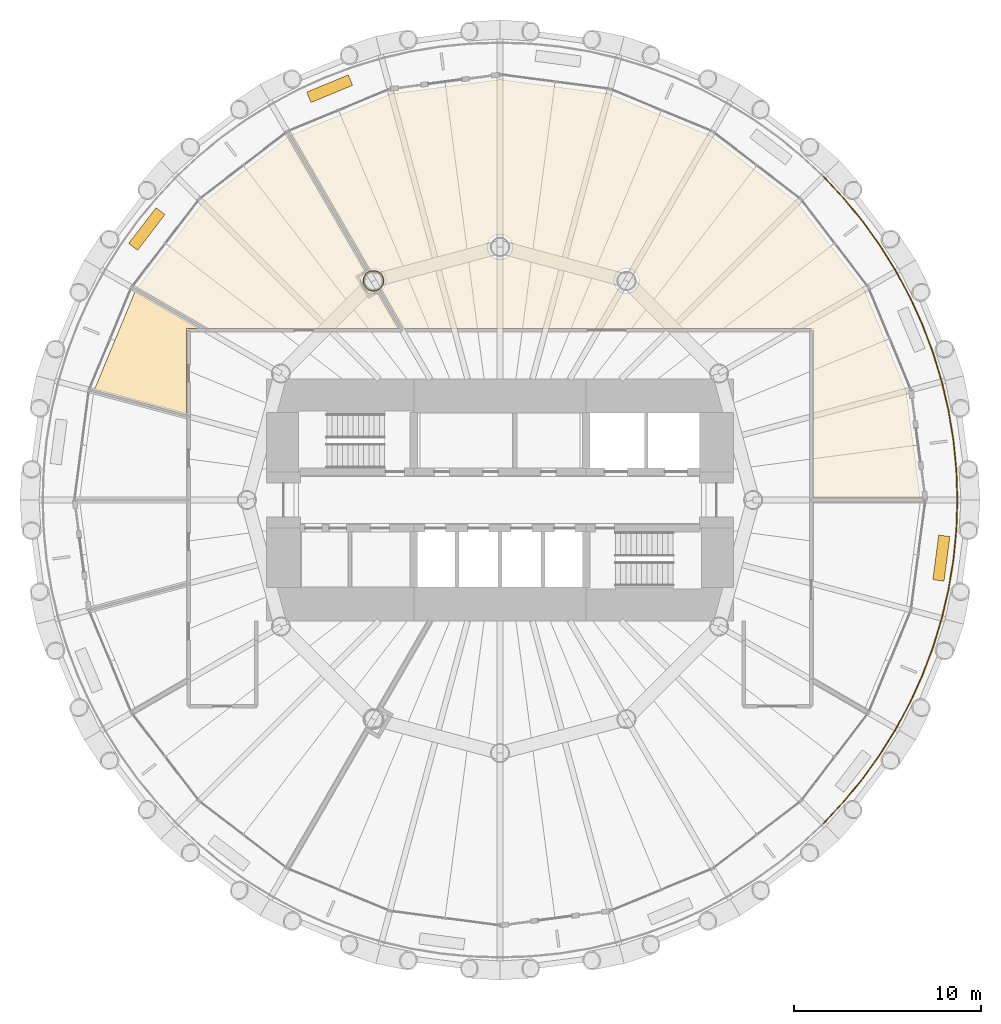
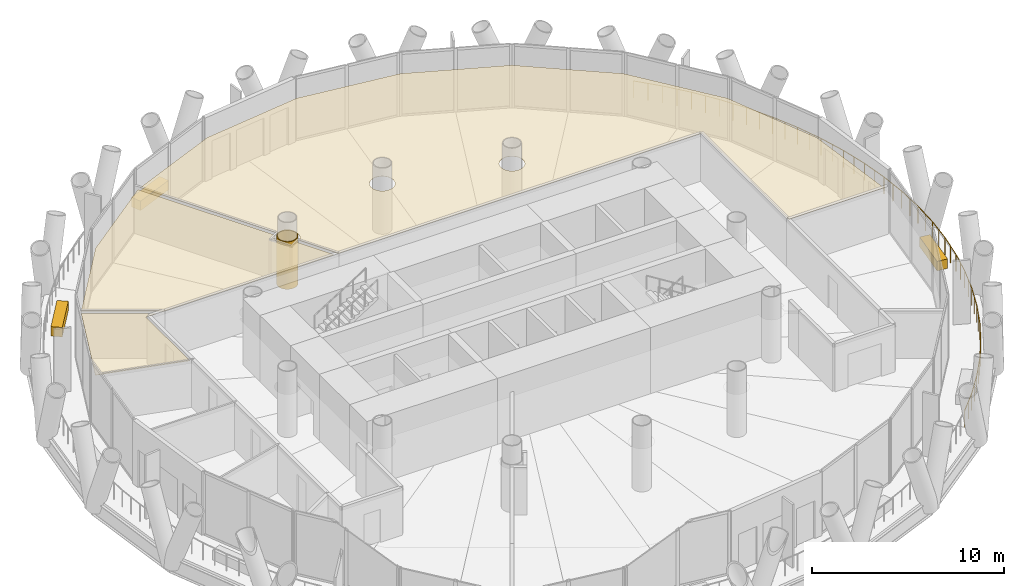
# One storey, part 13 of 14: 7 coverings, 1 railing.
"""IFC4 building model written with IfcOpenShell, lengths in metres."""

from ifc_helpers import new_model, si_unit, direction, frame, origin, origin_2d, place, context, subcontext, project, spatial, polyline, rectangle, circle, outline, extrude, material, layer, layer_set, type_object, element, save


model = new_model("IFC4")

# Units and contexts
model_context = context("Model", 3, precision=1e-05, world=origin(), true_north=direction((0.0, 1.0)))
body_context = subcontext(model_context, "Body", "Model", "MODEL_VIEW")
ifc_project = project(units=[si_unit("LENGTHUNIT", "METRE"), si_unit("AREAUNIT", "SQUARE_METRE"), si_unit("VOLUMEUNIT", "CUBIC_METRE"), si_unit("PLANEANGLEUNIT", "RADIAN"), si_unit("MASSUNIT", "GRAM", prefix="KILO")], contexts=[model_context])

# Site, building, storey
site_placement = place(None, origin())
site = spatial("IfcSite", under=ifc_project, at=site_placement, CompositionType="ELEMENT")
building_placement = place(site_placement, origin())
building = spatial("IfcBuilding", under=site, at=building_placement, Name="Qaws Media Tower", CompositionType="ELEMENT")
storey_placement = place(building_placement, frame((0.0, 0.0, 126.800048828125)))
storey = spatial("IfcBuildingStorey", under=building, at=storey_placement, Name="L28", CompositionType="ELEMENT", Elevation=126.800048828125)

# Covering
ifc_material_1 = material(Name="40 perforated acoustic panels with mineral wool backing, suspended", Category="mineral fibre")
ifc_layer_1 = layer(ifc_material_1, 0.0400390625)
ifc_layer_set_1 = layer_set([ifc_layer_1], Name="Acoustic panel ceiling 40")
covering_type_1 = type_object("IfcCoveringType", Name="Acoustic panel ceiling 40", PredefinedType="CEILING", material=ifc_layer_set_1)
covering_1_placement = place(storey_placement, frame((0.0, 0.0, 2.849853515625)))
element("IfcCovering", 1, at=covering_1_placement, inside=storey, type_object=covering_type_1, Name="CL3 ceiling L28-03 Meeting room", PredefinedType="CEILING", context=body_context, shape_type="SweptSolid", body=[
    extrude(outline(polyline([(44.135986328125, 65.864013671875), (48.6923828125, 69.3603515625), (52.823974609375, 62.204345703125), (52.777587890625, 62.163818359375), (52.719970703125, 62.097900390625), (52.67138671875, 62.025390625), (52.6328125, 61.947021484375), (52.604736328125, 61.8642578125), (52.587646484375, 61.778564453125), (52.58203125, 61.69140625), (52.587646484375, 61.604248046875), (52.604736328125, 61.5185546875), (52.6328125, 61.435791015625), (52.67138671875, 61.357421875), (52.719970703125, 61.28466796875), (52.777587890625, 61.218994140625), (52.84326171875, 61.161376953125), (52.916015625, 61.11279296875), (52.994384765625, 61.07421875), (53.0771484375, 61.046142578125), (53.162841796875, 61.029052734375), (53.25, 61.023193359375), (53.337158203125, 61.029052734375), (53.4228515625, 61.046142578125), (53.481201171875, 61.06591796875), (54.580078125, 59.16259765625), (44.35498046875, 59.16259765625), (40.6396484375, 61.3076171875), (44.135986328125, 65.864013671875)])), origin(), (0.0, 0.0, 1.0), 0.0400390625),
])

# Railing
ifc_material_2 = material(Name="Stainless steel and glass guard", Category="steel")
railing_type = type_object("IfcRailingType", Name="Balcony guard 1100", PredefinedType="GUARDRAIL", material=ifc_material_2)
railing_placement = place(storey_placement, frame((77.25341796875, 32.74658203125, 0.0)))
element("IfcRailing", 2, at=railing_placement, inside=storey, type_object=railing_type, Name="GR1 balcony guard L28-4", PredefinedType="GUARDRAIL", context=body_context, shape_type="SweptSolid", body=[
    extrude(circle(Radius=0.02392578125, at=origin_2d()), frame((0.0, 0.0, 1.076171875), z_axis=(0.683640981839, 0.729818476027, 0.0), x_axis=(-0.729818476027, 0.683640981839, 0.0)), (0.0, 0.0, 1.0), 1.5966796875),
    extrude(circle(Radius=0.02392578125, at=origin_2d()), frame((1.091552734375, 1.165283203125, 1.076171875), z_axis=(0.634361127386, 0.773036842629, 0.0), x_axis=(-0.773036842629, 0.634361127386, 0.0)), (0.0, 0.0, 1.0), 1.5966796875),
    extrude(circle(Radius=0.02392578125, at=origin_2d()), frame((2.1044921875, 2.399658203125, 1.076171875), z_axis=(0.582438119358, 0.812875043976, 0.0), x_axis=(-0.812875043976, 0.582438119358, 0.0)), (0.0, 0.0, 1.0), 1.5966796875),
    extrude(circle(Radius=0.02392578125, at=origin_2d()), frame((3.034423828125, 3.697509765625, 1.076171875), z_axis=(0.528101023183, 0.849181552622, 0.0), x_axis=(-0.849181552622, 0.528101023183, 0.0)), (0.0, 0.0, 1.0), 1.5966796875),
    extrude(circle(Radius=0.02392578125, at=origin_2d()), frame((3.877685546875, 5.053466796875, 1.076171875), z_axis=(0.471389573817, 0.881925093019, 0.0), x_axis=(-0.881925093019, 0.471389573817, 0.0)), (0.0, 0.0, 1.0), 1.5966796875),
    extrude(circle(Radius=0.02392578125, at=origin_2d()), frame((4.63037109375, 6.461669921875, 1.076171875), z_axis=(0.412696679624, 0.910868514456, 0.0), x_axis=(-0.910868514456, 0.412696679624, 0.0)), (0.0, 0.0, 1.0), 1.5966796875),
    extrude(circle(Radius=0.02392578125, at=origin_2d()), frame((5.289306640625, 7.916015625, 1.076171875), z_axis=(0.352145406881, 0.935945304178, 0.0), x_axis=(-0.935945304178, 0.352145406881, 0.0)), (0.0, 0.0, 1.0), 1.5966796875),
    extrude(circle(Radius=0.02392578125, at=origin_2d()), frame((5.8515625, 9.410400390625, 1.076171875), z_axis=(0.290376596051, 0.956912447649, 0.0), x_axis=(-0.956912447649, 0.290376596051, 0.0)), (0.0, 0.0, 1.0), 1.5966796875),
    extrude(circle(Radius=0.02392578125, at=origin_2d()), frame((6.315185546875, 10.938232421875, 1.076171875), z_axis=(0.227070097211, 0.973878416925, 0.0), x_axis=(-0.973878416925, 0.227070097211, 0.0)), (0.0, 0.0, 1.0), 1.5966796875),
    extrude(circle(Radius=0.02392578125, at=origin_2d()), frame((6.677734375, 12.4931640625, 1.076171875), z_axis=(0.162836738606, 0.986653027442, 0.0), x_axis=(-0.986653027442, 0.162836738606, 0.0)), (0.0, 0.0, 1.0), 1.5966796875),
    extrude(circle(Radius=0.02392578125, at=origin_2d()), frame((6.937744140625, 14.068603515625, 1.076171875), z_axis=(0.098019858359, 0.995184458966, 0.0), x_axis=(-0.995184458966, 0.098019858359, 0.0)), (0.0, 0.0, 1.0), 1.596435546875),
    extrude(circle(Radius=0.02392578125, at=origin_2d()), frame((7.09423828125, 15.657470703125, 1.076171875), z_axis=(0.032719201604, 0.999464583588, 0.0), x_axis=(-0.999464583588, 0.032719201604, 0.0)), (0.0, 0.0, 1.0), 1.596923828125),
    extrude(circle(Radius=0.02392578125, at=origin_2d()), frame((7.146484375, 17.25341796875, 1.076171875), z_axis=(-0.032719201604, 0.999464583588, 0.0), x_axis=(-0.999464583588, -0.032719201604, 0.0)), (0.0, 0.0, 1.0), 1.596923828125),
    extrude(circle(Radius=0.02392578125, at=origin_2d()), frame((7.09423828125, 18.849365234375, 1.076171875), z_axis=(-0.098019858359, 0.995184458966, 0.0), x_axis=(-0.995184458966, -0.098019858359, 0.0)), (0.0, 0.0, 1.0), 1.596435546875),
    extrude(circle(Radius=0.02392578125, at=origin_2d()), frame((6.937744140625, 20.438232421875, 1.076171875), z_axis=(-0.162836738606, 0.986653027442, 0.0), x_axis=(-0.986653027442, -0.162836738606, 0.0)), (0.0, 0.0, 1.0), 1.5966796875),
    extrude(circle(Radius=0.02392578125, at=origin_2d()), frame((6.677734375, 22.013671875, 1.076171875), z_axis=(-0.227070097211, 0.973878416925, 0.0), x_axis=(-0.973878416925, -0.227070097211, 0.0)), (0.0, 0.0, 1.0), 1.5966796875),
    extrude(circle(Radius=0.02392578125, at=origin_2d()), frame((6.315185546875, 23.568603515625, 1.076171875), z_axis=(-0.290376596051, 0.956912447649, 0.0), x_axis=(-0.956912447649, -0.290376596051, 0.0)), (0.0, 0.0, 1.0), 1.5966796875),
    extrude(circle(Radius=0.02392578125, at=origin_2d()), frame((5.8515625, 25.096435546875, 1.076171875), z_axis=(-0.352145406881, 0.935945304178, 0.0), x_axis=(-0.935945304178, -0.352145406881, 0.0)), (0.0, 0.0, 1.0), 1.5966796875),
    extrude(circle(Radius=0.02392578125, at=origin_2d()), frame((5.289306640625, 26.5908203125, 1.076171875), z_axis=(-0.412696679624, 0.910868514456, 0.0), x_axis=(-0.910868514456, -0.412696679624, 0.0)), (0.0, 0.0, 1.0), 1.5966796875),
    extrude(circle(Radius=0.02392578125, at=origin_2d()), frame((4.63037109375, 28.045166015625, 1.076171875), z_axis=(-0.471389573817, 0.881925093019, 0.0), x_axis=(-0.881925093019, -0.471389573817, 0.0)), (0.0, 0.0, 1.0), 1.5966796875),
    extrude(circle(Radius=0.02392578125, at=origin_2d()), frame((3.877685546875, 29.453369140625, 1.076171875), z_axis=(-0.528101023183, 0.849181552622, 0.0), x_axis=(-0.849181552622, -0.528101023183, 0.0)), (0.0, 0.0, 1.0), 1.5966796875),
    extrude(circle(Radius=0.02392578125, at=origin_2d()), frame((3.034423828125, 30.809326171875, 1.076171875), z_axis=(-0.582438119358, 0.812875043976, 0.0), x_axis=(-0.812875043976, -0.582438119358, 0.0)), (0.0, 0.0, 1.0), 1.5966796875),
    extrude(circle(Radius=0.02392578125, at=origin_2d()), frame((2.1044921875, 32.107177734375, 1.076171875), z_axis=(-0.634361127386, 0.773036842629, 0.0), x_axis=(-0.773036842629, -0.634361127386, 0.0)), (0.0, 0.0, 1.0), 1.5966796875),
    extrude(circle(Radius=0.02392578125, at=origin_2d()), frame((1.091552734375, 33.341552734375, 1.076171875), z_axis=(-0.683640981839, 0.729818476027, 0.0), x_axis=(-0.729818476027, -0.683640981839, 0.0)), (0.0, 0.0, 1.0), 1.5966796875),
    extrude(circle(Radius=0.02099609375, at=origin_2d()), origin(), (0.0, 0.0, 1.0), 1.052001953125),
    extrude(circle(Radius=0.02099609375, at=origin_2d()), frame((0.5458984375, 0.58251953125, 0.0)), (0.0, 0.0, 1.0), 1.052001953125),
    extrude(circle(Radius=0.02099609375, at=origin_2d()), frame((1.091552734375, 1.165283203125, 0.0)), (0.0, 0.0, 1.0), 1.052001953125),
    extrude(circle(Radius=0.02099609375, at=origin_2d()), frame((1.59814453125, 1.782470703125, 0.0)), (0.0, 0.0, 1.0), 1.052001953125),
    extrude(circle(Radius=0.02099609375, at=origin_2d()), frame((2.1044921875, 2.399658203125, 0.0)), (0.0, 0.0, 1.0), 1.052001953125),
    extrude(circle(Radius=0.02099609375, at=origin_2d()), frame((2.5693359375, 3.048583984375, 0.0)), (0.0, 0.0, 1.0), 1.052001953125),
    extrude(circle(Radius=0.02099609375, at=origin_2d()), frame((3.034423828125, 3.697509765625, 0.0)), (0.0, 0.0, 1.0), 1.052001953125),
    extrude(circle(Radius=0.02099609375, at=origin_2d()), frame((3.4560546875, 4.37548828125, 0.0)), (0.0, 0.0, 1.0), 1.052001953125),
    extrude(circle(Radius=0.02099609375, at=origin_2d()), frame((3.877685546875, 5.053466796875, 0.0)), (0.0, 0.0, 1.0), 1.052001953125),
    extrude(circle(Radius=0.02099609375, at=origin_2d()), frame((4.25390625, 5.757568359375, 0.0)), (0.0, 0.0, 1.0), 1.052001953125),
    extrude(circle(Radius=0.02099609375, at=origin_2d()), frame((4.63037109375, 6.461669921875, 0.0)), (0.0, 0.0, 1.0), 1.052001953125),
    extrude(circle(Radius=0.02099609375, at=origin_2d()), frame((4.9599609375, 7.18896484375, 0.0)), (0.0, 0.0, 1.0), 1.052001953125),
    extrude(circle(Radius=0.02099609375, at=origin_2d()), frame((5.289306640625, 7.916015625, 0.0)), (0.0, 0.0, 1.0), 1.052001953125),
    extrude(circle(Radius=0.02099609375, at=origin_2d()), frame((5.5703125, 8.6630859375, 0.0)), (0.0, 0.0, 1.0), 1.052001953125),
    extrude(circle(Radius=0.02099609375, at=origin_2d()), frame((5.8515625, 9.410400390625, 0.0)), (0.0, 0.0, 1.0), 1.052001953125),
    extrude(circle(Radius=0.02099609375, at=origin_2d()), frame((6.08349609375, 10.17431640625, 0.0)), (0.0, 0.0, 1.0), 1.052001953125),
    extrude(circle(Radius=0.02099609375, at=origin_2d()), frame((6.315185546875, 10.938232421875, 0.0)), (0.0, 0.0, 1.0), 1.052001953125),
    extrude(circle(Radius=0.02099609375, at=origin_2d()), frame((6.49658203125, 11.7158203125, 0.0)), (0.0, 0.0, 1.0), 1.052001953125),
    extrude(circle(Radius=0.02099609375, at=origin_2d()), frame((6.677734375, 12.4931640625, 0.0)), (0.0, 0.0, 1.0), 1.052001953125),
    extrude(circle(Radius=0.02099609375, at=origin_2d()), frame((6.8076171875, 13.28076171875, 0.0)), (0.0, 0.0, 1.0), 1.052001953125),
    extrude(circle(Radius=0.02099609375, at=origin_2d()), frame((6.937744140625, 14.068603515625, 0.0)), (0.0, 0.0, 1.0), 1.052001953125),
    extrude(circle(Radius=0.02099609375, at=origin_2d()), frame((7.01611328125, 14.863037109375, 0.0)), (0.0, 0.0, 1.0), 1.052001953125),
    extrude(circle(Radius=0.02099609375, at=origin_2d()), frame((7.09423828125, 15.657470703125, 0.0)), (0.0, 0.0, 1.0), 1.052001953125),
    extrude(circle(Radius=0.02099609375, at=origin_2d()), frame((7.120361328125, 16.45556640625, 0.0)), (0.0, 0.0, 1.0), 1.052001953125),
    extrude(circle(Radius=0.02099609375, at=origin_2d()), frame((7.146484375, 17.25341796875, 0.0)), (0.0, 0.0, 1.0), 1.052001953125),
    extrude(circle(Radius=0.02099609375, at=origin_2d()), frame((7.120361328125, 18.05126953125, 0.0)), (0.0, 0.0, 1.0), 1.052001953125),
    extrude(circle(Radius=0.02099609375, at=origin_2d()), frame((7.09423828125, 18.849365234375, 0.0)), (0.0, 0.0, 1.0), 1.052001953125),
    extrude(circle(Radius=0.02099609375, at=origin_2d()), frame((7.01611328125, 19.643798828125, 0.0)), (0.0, 0.0, 1.0), 1.052001953125),
    extrude(circle(Radius=0.02099609375, at=origin_2d()), frame((6.937744140625, 20.438232421875, 0.0)), (0.0, 0.0, 1.0), 1.052001953125),
    extrude(circle(Radius=0.02099609375, at=origin_2d()), frame((6.8076171875, 21.22607421875, 0.0)), (0.0, 0.0, 1.0), 1.052001953125),
    extrude(circle(Radius=0.02099609375, at=origin_2d()), frame((6.677734375, 22.013671875, 0.0)), (0.0, 0.0, 1.0), 1.052001953125),
    extrude(circle(Radius=0.02099609375, at=origin_2d()), frame((6.49658203125, 22.791015625, 0.0)), (0.0, 0.0, 1.0), 1.052001953125),
    extrude(circle(Radius=0.02099609375, at=origin_2d()), frame((6.315185546875, 23.568603515625, 0.0)), (0.0, 0.0, 1.0), 1.052001953125),
    extrude(circle(Radius=0.02099609375, at=origin_2d()), frame((6.08349609375, 24.33251953125, 0.0)), (0.0, 0.0, 1.0), 1.052001953125),
    extrude(circle(Radius=0.02099609375, at=origin_2d()), frame((5.8515625, 25.096435546875, 0.0)), (0.0, 0.0, 1.0), 1.052001953125),
    extrude(circle(Radius=0.02099609375, at=origin_2d()), frame((5.5703125, 25.84375, 0.0)), (0.0, 0.0, 1.0), 1.052001953125),
    extrude(circle(Radius=0.02099609375, at=origin_2d()), frame((5.289306640625, 26.5908203125, 0.0)), (0.0, 0.0, 1.0), 1.052001953125),
    extrude(circle(Radius=0.02099609375, at=origin_2d()), frame((4.9599609375, 27.31787109375, 0.0)), (0.0, 0.0, 1.0), 1.052001953125),
    extrude(circle(Radius=0.02099609375, at=origin_2d()), frame((4.63037109375, 28.045166015625, 0.0)), (0.0, 0.0, 1.0), 1.052001953125),
    extrude(circle(Radius=0.02099609375, at=origin_2d()), frame((4.25390625, 28.749267578125, 0.0)), (0.0, 0.0, 1.0), 1.052001953125),
    extrude(circle(Radius=0.02099609375, at=origin_2d()), frame((3.877685546875, 29.453369140625, 0.0)), (0.0, 0.0, 1.0), 1.052001953125),
    extrude(circle(Radius=0.02099609375, at=origin_2d()), frame((3.4560546875, 30.13134765625, 0.0)), (0.0, 0.0, 1.0), 1.052001953125),
    extrude(circle(Radius=0.02099609375, at=origin_2d()), frame((3.034423828125, 30.809326171875, 0.0)), (0.0, 0.0, 1.0), 1.052001953125),
    extrude(circle(Radius=0.02099609375, at=origin_2d()), frame((2.5693359375, 31.458251953125, 0.0)), (0.0, 0.0, 1.0), 1.052001953125),
    extrude(circle(Radius=0.02099609375, at=origin_2d()), frame((2.1044921875, 32.107177734375, 0.0)), (0.0, 0.0, 1.0), 1.052001953125),
    extrude(circle(Radius=0.02099609375, at=origin_2d()), frame((1.59814453125, 32.724365234375, 0.0)), (0.0, 0.0, 1.0), 1.052001953125),
    extrude(circle(Radius=0.02099609375, at=origin_2d()), frame((1.091552734375, 33.341552734375, 0.0)), (0.0, 0.0, 1.0), 1.052001953125),
    extrude(circle(Radius=0.02099609375, at=origin_2d()), frame((0.5458984375, 33.92431640625, 0.0)), (0.0, 0.0, 1.0), 1.052001953125),
    extrude(circle(Radius=0.02099609375, at=origin_2d()), frame((0.0, 34.5068359375, 0.0)), (0.0, 0.0, 1.0), 1.052001953125),
])

# Coverings
ifc_material_3 = material(Name="Two layers 15 fire-rated gypsum board on steel framing", Category="steel")
ifc_layer_2 = layer(ifc_material_3, 0.050048828125)
ifc_layer_set_2 = layer_set([ifc_layer_2], Name="Column fire casing")
covering_type_2 = type_object("IfcCoveringType", Name="Column fire casing", PredefinedType="CLADDING", material=ifc_layer_set_2)
covering_2_placement = place(storey_placement, origin())
element("IfcCovering", 3, at=covering_2_placement, inside=storey, type_object=covering_type_2, Name="CC1 column casing L28", PredefinedType="CLADDING", context=body_context, shape_type="SweptSolid", body=[
    extrude(outline(polyline([(53.81298828125, 61.69140625), (53.80810546875, 61.617919921875), (53.793701171875, 61.545654296875), (53.77001953125, 61.475830078125), (53.737548828125, 61.409912109375), (53.69677734375, 61.3486328125), (53.648193359375, 61.293212890625), (53.5927734375, 61.24462890625), (53.531494140625, 61.203857421875), (53.465576171875, 61.171142578125), (53.395751953125, 61.1474609375), (53.323486328125, 61.13330078125), (53.25, 61.12841796875), (53.176513671875, 61.13330078125), (53.104248046875, 61.1474609375), (53.034423828125, 61.171142578125), (52.968505859375, 61.203857421875), (52.9072265625, 61.24462890625), (52.851806640625, 61.293212890625), (52.80322265625, 61.3486328125), (52.762451171875, 61.409912109375), (52.72998046875, 61.475830078125), (52.706298828125, 61.545654296875), (52.69189453125, 61.617919921875), (52.68701171875, 61.69140625), (52.69189453125, 61.764892578125), (52.706298828125, 61.837158203125), (52.72998046875, 61.90673828125), (52.762451171875, 61.972900390625), (52.80322265625, 62.0341796875), (52.851806640625, 62.08935546875), (52.9072265625, 62.137939453125), (52.968505859375, 62.178955078125), (53.034423828125, 62.21142578125), (53.104248046875, 62.235107421875), (53.176513671875, 62.24951171875), (53.25, 62.25439453125), (53.323486328125, 62.24951171875), (53.395751953125, 62.235107421875), (53.465576171875, 62.21142578125), (53.531494140625, 62.178955078125), (53.5927734375, 62.137939453125), (53.648193359375, 62.08935546875), (53.69677734375, 62.0341796875), (53.737548828125, 61.972900390625), (53.77001953125, 61.90673828125), (53.793701171875, 61.837158203125), (53.80810546875, 61.764892578125), (53.81298828125, 61.69140625)]), holes=[polyline([(53.760986328125, 61.69140625), (53.756591796875, 61.62451171875), (53.74365234375, 61.55908203125), (53.72216796875, 61.495849609375), (53.6923828125, 61.435791015625), (53.655517578125, 61.38037109375), (53.611328125, 61.330078125), (53.56103515625, 61.285888671875), (53.505615234375, 61.248779296875), (53.445556640625, 61.21923828125), (53.38232421875, 61.19775390625), (53.316650390625, 61.184814453125), (53.25, 61.180419921875), (53.183349609375, 61.184814453125), (53.11767578125, 61.19775390625), (53.054443359375, 61.21923828125), (52.994384765625, 61.248779296875), (52.93896484375, 61.285888671875), (52.888671875, 61.330078125), (52.844482421875, 61.38037109375), (52.8076171875, 61.435791015625), (52.77783203125, 61.495849609375), (52.75634765625, 61.55908203125), (52.743408203125, 61.62451171875), (52.739013671875, 61.69140625), (52.743408203125, 61.758056640625), (52.75634765625, 61.823486328125), (52.77783203125, 61.886962890625), (52.8076171875, 61.94677734375), (52.844482421875, 62.00244140625), (52.888671875, 62.052734375), (52.93896484375, 62.0966796875), (52.994384765625, 62.1337890625), (53.054443359375, 62.163330078125), (53.11767578125, 62.184814453125), (53.183349609375, 62.197998046875), (53.25, 62.202392578125), (53.316650390625, 62.197998046875), (53.38232421875, 62.184814453125), (53.445556640625, 62.163330078125), (53.505615234375, 62.1337890625), (53.56103515625, 62.0966796875), (53.611328125, 62.052734375), (53.655517578125, 62.00244140625), (53.6923828125, 61.94677734375), (53.72216796875, 61.886962890625), (53.74365234375, 61.823486328125), (53.756591796875, 61.758056640625), (53.760986328125, 61.69140625)])]), origin(), (0.0, 0.0, 1.0), 3.02001953125),
])
ifc_material_4 = material(Name="600 x 600 mineral fibre tiles in exposed grid, suspended", Category="mineral fibre")
ifc_layer_3 = layer(ifc_material_4, 0.02001953125)
ifc_layer_set_3 = layer_set([ifc_layer_3], Name="Mineral fibre tile ceiling 20")
covering_type_3 = type_object("IfcCoveringType", Name="Mineral fibre tile ceiling 20", PredefinedType="CEILING", material=ifc_layer_set_3)
covering_3_placement = place(storey_placement, frame((0.0, 0.0, 2.849853515625)))
element("IfcCovering", 4, at=covering_3_placement, inside=storey, type_object=covering_type_3, Name="CL1 ceiling L28-02 Finance office", PredefinedType="CEILING", context=body_context, shape_type="SweptSolid", body=[
    extrude(outline(polyline([(54.193359375, 71.6708984375), (60.0, 72.435302734375), (65.806640625, 71.6708984375), (71.217529296875, 69.429443359375), (75.864013671875, 65.864013671875), (79.429443359375, 61.217529296875), (81.6708984375, 55.806640625), (82.42041015625, 50.112548828125), (76.71240234375, 50.112548828125), (76.71240234375, 59.16259765625), (54.83984375, 59.16259765625), (53.676025390625, 61.178466796875), (53.722412109375, 61.218994140625), (53.780029296875, 61.28466796875), (53.82861328125, 61.357421875), (53.8671875, 61.435791015625), (53.895263671875, 61.5185546875), (53.912353515625, 61.604248046875), (53.91796875, 61.69140625), (53.912353515625, 61.778564453125), (53.895263671875, 61.8642578125), (53.8671875, 61.947021484375), (53.82861328125, 62.025390625), (53.780029296875, 62.097900390625), (53.722412109375, 62.163818359375), (53.65673828125, 62.22119140625), (53.583984375, 62.269775390625), (53.505615234375, 62.30859375), (53.4228515625, 62.336669921875), (53.337158203125, 62.353515625), (53.25, 62.359375), (53.162841796875, 62.353515625), (53.0771484375, 62.336669921875), (53.018798828125, 62.31689453125), (48.88720703125, 69.472900390625), (54.193359375, 71.6708984375)]), holes=[polyline([(60.6171875, 63.244384765625), (60.645263671875, 63.3271484375), (60.662353515625, 63.412841796875), (60.66796875, 63.5), (60.662353515625, 63.587158203125), (60.645263671875, 63.6728515625), (60.6171875, 63.755615234375), (60.57861328125, 63.833984375), (60.530029296875, 63.90673828125), (60.472412109375, 63.972412109375), (60.40673828125, 64.030029296875), (60.333984375, 64.07861328125), (60.255615234375, 64.1171875), (60.1728515625, 64.145263671875), (60.087158203125, 64.162353515625), (60.0, 64.16796875), (59.912841796875, 64.162353515625), (59.8271484375, 64.145263671875), (59.744384765625, 64.1171875), (59.666015625, 64.07861328125), (59.59326171875, 64.030029296875), (59.527587890625, 63.972412109375), (59.469970703125, 63.90673828125), (59.42138671875, 63.833984375), (59.3828125, 63.755615234375), (59.354736328125, 63.6728515625), (59.337646484375, 63.587158203125), (59.33203125, 63.5), (59.337646484375, 63.412841796875), (59.354736328125, 63.3271484375), (59.3828125, 63.244384765625), (59.42138671875, 63.166015625), (59.469970703125, 63.09326171875), (59.527587890625, 63.027587890625), (59.59326171875, 62.969970703125), (59.666015625, 62.92138671875), (59.744384765625, 62.8828125), (59.8271484375, 62.854736328125), (59.912841796875, 62.837646484375), (60.0, 62.83203125), (60.087158203125, 62.837646484375), (60.1728515625, 62.854736328125), (60.255615234375, 62.8828125), (60.333984375, 62.92138671875), (60.40673828125, 62.969970703125), (60.472412109375, 63.027587890625), (60.530029296875, 63.09326171875), (60.57861328125, 63.166015625), (60.6171875, 63.244384765625)]), polyline([(67.3671875, 61.435791015625), (67.395263671875, 61.5185546875), (67.412353515625, 61.604248046875), (67.41796875, 61.69140625), (67.412353515625, 61.778564453125), (67.395263671875, 61.8642578125), (67.3671875, 61.947021484375), (67.32861328125, 62.025390625), (67.280029296875, 62.097900390625), (67.222412109375, 62.163818359375), (67.15673828125, 62.22119140625), (67.083984375, 62.269775390625), (67.005615234375, 62.30859375), (66.9228515625, 62.336669921875), (66.837158203125, 62.353515625), (66.75, 62.359375), (66.662841796875, 62.353515625), (66.5771484375, 62.336669921875), (66.494384765625, 62.30859375), (66.416015625, 62.269775390625), (66.34326171875, 62.22119140625), (66.277587890625, 62.163818359375), (66.219970703125, 62.097900390625), (66.17138671875, 62.025390625), (66.1328125, 61.947021484375), (66.104736328125, 61.8642578125), (66.087646484375, 61.778564453125), (66.08203125, 61.69140625), (66.087646484375, 61.604248046875), (66.104736328125, 61.5185546875), (66.1328125, 61.435791015625), (66.17138671875, 61.357421875), (66.219970703125, 61.28466796875), (66.277587890625, 61.218994140625), (66.34326171875, 61.161376953125), (66.416015625, 61.11279296875), (66.494384765625, 61.07421875), (66.5771484375, 61.046142578125), (66.662841796875, 61.029052734375), (66.75, 61.023193359375), (66.837158203125, 61.029052734375), (66.9228515625, 61.046142578125), (67.005615234375, 61.07421875), (67.083984375, 61.11279296875), (67.15673828125, 61.161376953125), (67.222412109375, 61.218994140625), (67.280029296875, 61.28466796875), (67.32861328125, 61.357421875), (67.3671875, 61.435791015625)])]), origin(), (0.0, 0.0, 1.0), 0.02001953125),
])
covering_4_placement = place(storey_placement, frame((0.0, 0.0, 2.849853515625)))
element("IfcCovering", 5, at=covering_4_placement, inside=storey, type_object=covering_type_3, Name="CL1 ceiling L28-04 Office", PredefinedType="CEILING", context=body_context, shape_type="SweptSolid", body=[
    extrude(outline(polyline([(40.527099609375, 61.11279296875), (43.905029296875, 59.16259765625), (43.28759765625, 59.16259765625), (43.28759765625, 54.594482421875), (38.372802734375, 55.91162109375), (40.527099609375, 61.11279296875)])), origin(), (0.0, 0.0, 1.0), 0.02001953125),
])
ifc_material_5 = material(Name="Precast concrete planter with trailing planting", Category="concrete")
ifc_layer_4 = layer(ifc_material_5, 0.60009765625)
ifc_layer_set_4 = layer_set([ifc_layer_4], Name="Planter 2400x600")
covering_type_4 = type_object("IfcCoveringType", Name="Planter 2400x600", PredefinedType="USERDEFINED", material=ifc_layer_set_4)
for number, where, z_axis, x_axis, name in (
    (6, (50.911376953125, 71.942138671875, 0.0), (0.0, 0.0, 1.0), (-0.923879532511, -0.382683432365, 0.0), "PL1 balcony planter L28-04"),
    (7, (41.157958984375, 64.4580078125, 0.0), (0.0, 0.0, 1.0), (-0.608761429009, -0.793353340291, 0.0), "PL1 balcony planter L28-05"),
    (8, (83.546875, 46.89990234375, 0.0), (0.0, 0.0, 1.0), (0.13052619222, 0.991444861374, 0.0), "PL1 balcony planter L28-12"),
):
    element("IfcCovering", number, at=place(storey_placement, frame(where, z_axis=z_axis, x_axis=x_axis)), inside=storey, type_object=covering_type_4, Name=name, ObjectType="PLANTER", PredefinedType="USERDEFINED", context=body_context, shape_type="SweptSolid", body=[
        extrude(rectangle(XDim=2.39990234375, YDim=0.60009765625, at=origin_2d()), origin(), (0.0, 0.0, 1.0), 0.60009765625),
    ])

save(model, "model.ifc")
